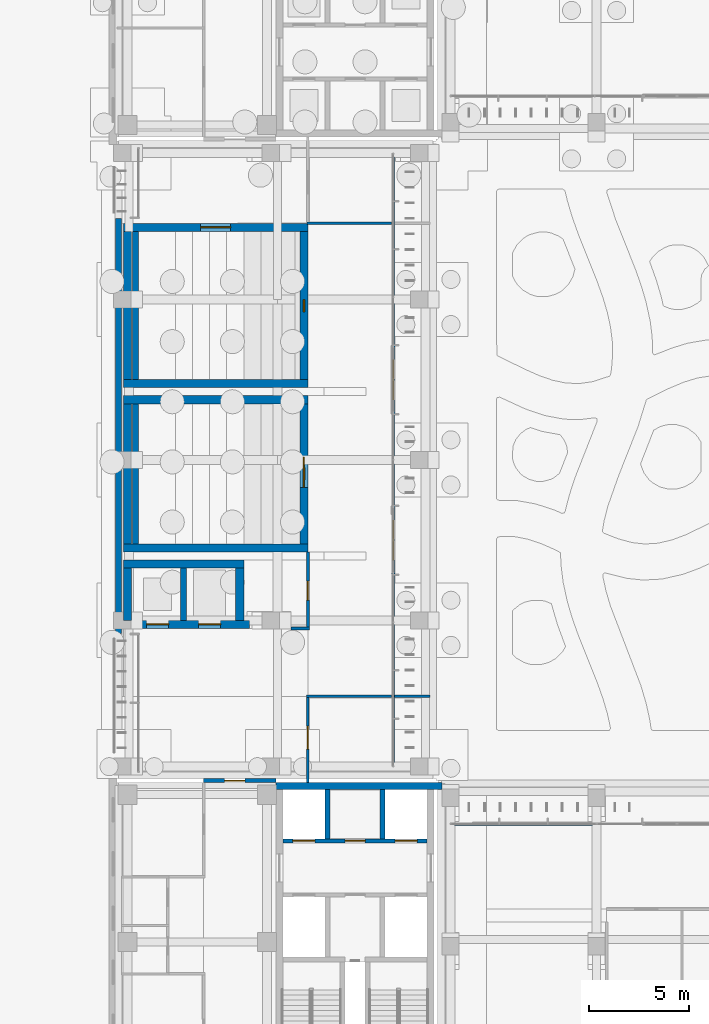
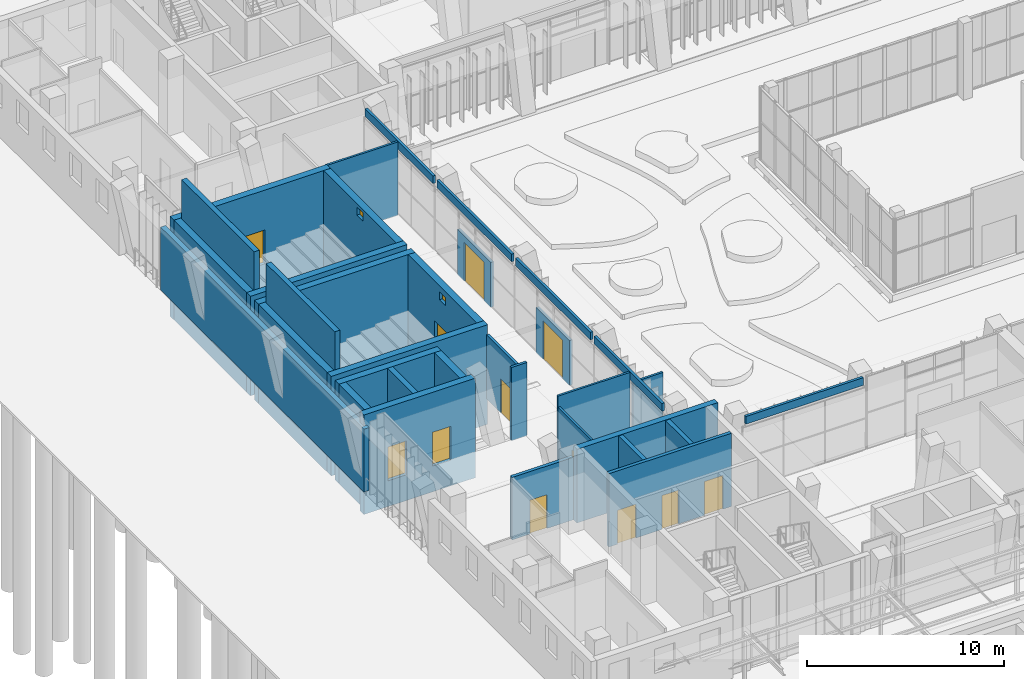
# One storey, part 108 of 144: 34 walls, 12 doors, 2 windows, 14 openings.
"""IFC4 building model written with IfcOpenShell, lengths in metres."""

from ifc_helpers import new_model, si_unit, direction, frame, frame_2d, origin, place, context, subcontext, project, spatial, rectangle, extrude, material, layer, layer_set, type_object, element, fill, save


model = new_model("IFC4")

# Units and contexts
model_context = context("Model", 3, precision=1e-05, world=origin(), true_north=direction((0.0, 1.0)))
body_context = subcontext(model_context, "Body", "Model", "MODEL_VIEW")
ifc_project = project(units=[si_unit("LENGTHUNIT", "METRE"), si_unit("AREAUNIT", "SQUARE_METRE"), si_unit("VOLUMEUNIT", "CUBIC_METRE"), si_unit("PLANEANGLEUNIT", "RADIAN"), si_unit("MASSUNIT", "GRAM", prefix="KILO")], contexts=[model_context])

# Site, building, storey
site_placement = place(None, origin())
site = spatial("IfcSite", under=ifc_project, at=site_placement, CompositionType="ELEMENT")
building_placement = place(site_placement, origin())
building = spatial("IfcBuilding", under=site, at=building_placement, Name="Lantern Court Media Centre", CompositionType="ELEMENT")
storey_placement = place(building_placement, origin())
storey = spatial("IfcBuildingStorey", under=building, at=storey_placement, Name="L00", CompositionType="ELEMENT", Elevation=0.0)

# Wall, opening, door
ifc_material_1 = material(Name="Gypsum board partition")
ifc_layer_1 = layer(ifc_material_1, 0.125)
ifc_layer_set_1 = layer_set([ifc_layer_1], Name="Gypsum board partition")
wall_type_1 = type_object("IfcWallType", Name="Corridor partition 125", PredefinedType="PARTITIONING", material=ifc_layer_set_1)
wall_1_placement = place(storey_placement, frame((17.60009765625, 63.89990234375, 0.0), z_axis=(0.0, 0.0, 1.0), x_axis=(0.0, 1.0, 0.0)))
wall_1 = element("IfcWall", 1, at=wall_1_placement, inside=storey, type_object=wall_type_1, Name="L00 partition 013", PredefinedType="PARTITIONING", context=body_context, shape_type="SweptSolid", body=[
    extrude(rectangle(XDim=4.237548828125, YDim=0.125, at=frame_2d((2.11865234375, 0.0))), origin(), (0.0, 0.0, 1.0), 3.8798828125),
])
opening_1_placement = place(wall_1_placement, frame((1.675048828125, 0.0, 0.0)))
opening_1 = element("IfcOpeningElement", 2, at=opening_1_placement, cuts=wall_1, Name="Opening L00-010", PredefinedType="OPENING", context=body_context, shape_type="SweptSolid", body=[
    extrude(rectangle(XDim=1.14990234375, YDim=2.10009765625, at=frame_2d((0.574951171875, 1.050048828125))), frame((0.0, 0.072509765625, 0.0), z_axis=(0.0, -1.0, 0.0), x_axis=(1.0, 0.0, 0.0)), (0.0, 0.0, 1.0), 0.14501953125),
])
ifc_material_2 = material(Name="Solid-core timber door leaf", Category="wood")
door_type_1 = type_object("IfcDoorType", Name="Single door 1150x2100", OperationType="NOTDEFINED", PredefinedType="DOOR", material=ifc_material_2)
door_1_placement = place(opening_1_placement, frame((1.14990234375, 0.0, 0.0), z_axis=(0.0, 0.0, 1.0), x_axis=(-1.0, 0.0, 0.0)))
door_1 = element("IfcDoor", 3, at=door_1_placement, inside=storey, type_object=door_type_1, Name="L00 Box Office door", OperationType="SINGLE_SWING_LEFT", OverallHeight=2.10009765625, OverallWidth=1.14990234375, PredefinedType="DOOR", context=body_context, shape_type="SweptSolid", body=[
    extrude(rectangle(XDim=1.14990234375, YDim=2.10009765625, at=frame_2d((0.574951171875, 1.050048828125))), frame((0.0, 0.02490234375, 0.0), z_axis=(0.0, -1.0, 0.0), x_axis=(1.0, 0.0, 0.0)), (0.0, 0.0, 1.0), 0.050048828125),
])
fill(opening_1, door_1)

# Walls
wall_2_placement = place(storey_placement, frame((17.53759765625, 68.199951171875, 0.0), z_axis=(0.0, 0.0, 1.0), x_axis=(1.0, 0.0, 0.0)))
element("IfcWall", 4, at=wall_2_placement, inside=storey, type_object=wall_type_1, Name="L00 partition 016", PredefinedType="PARTITIONING", context=body_context, shape_type="SweptSolid", body=[
    extrude(rectangle(XDim=4.232421875, YDim=0.125, at=frame_2d((2.1162109375, 0.0))), origin(), (0.0, 0.0, 1.0), 4.56005859375),
])
wall_3_placement = place(storey_placement, frame((21.929931640625, 68.199951171875, 0.0), z_axis=(0.0, 0.0, 1.0), x_axis=(1.0, 0.0, 0.0)))
element("IfcWall", 5, at=wall_3_placement, inside=storey, type_object=wall_type_1, Name="L00 partition 017", PredefinedType="PARTITIONING", context=body_context, shape_type="SweptSolid", body=[
    extrude(rectangle(XDim=1.77001953125, YDim=0.125, at=frame_2d((0.885009765625, 0.0))), origin(), (0.0, 0.0, 1.0), 3.8798828125),
])
wall_4_placement = place(storey_placement, frame((17.54248046875, 91.800048828125, 0.0), z_axis=(0.0, 0.0, 1.0), x_axis=(1.0, 0.0, 0.0)))
element("IfcWall", 6, at=wall_4_placement, inside=storey, type_object=wall_type_1, Name="L00 partition 020", PredefinedType="PARTITIONING", context=body_context, shape_type="SweptSolid", body=[
    extrude(rectangle(XDim=4.2275390625, YDim=0.125, at=frame_2d((2.11376953125, 0.0))), origin(), (0.0, 0.0, 1.0), 4.56005859375),
])

# Wall, opening, door
ifc_material_3 = material(Name="Insulated rendered blockwork", Category="masonry")
ifc_layer_2 = layer(ifc_material_3, 0.179931640625)
ifc_layer_set_2 = layer_set([ifc_layer_2], Name="Insulated rendered blockwork")
wall_type_2 = type_object("IfcWallType", Name="Entrance bay infill wall 180", PredefinedType="SOLIDWALL", material=ifc_layer_set_2)
wall_5_placement = place(storey_placement, frame((21.85009765625, 74.300048828125, 0.0), z_axis=(0.0, 0.0, 1.0), x_axis=(0.0, 1.0, 0.0)))
wall_5 = element("IfcWall", 7, at=wall_5_placement, inside=storey, type_object=wall_type_2, Name="Entrance bay wall W inner L00", PredefinedType="SOLIDWALL", context=body_context, shape_type="SweptSolid", body=[
    extrude(rectangle(XDim=3.39990234375, YDim=0.179931640625, at=frame_2d((1.699951171875, 0.0))), origin(), (0.0, 0.0, 1.0), 2.800048828125),
])
opening_2_placement = place(wall_5_placement, frame((0.699951171875, 0.0, 0.0)))
opening_2 = element("IfcOpeningElement", 8, at=opening_2_placement, cuts=wall_5, Name="Opening XD13", PredefinedType="OPENING", context=body_context, shape_type="SweptSolid", body=[
    extrude(rectangle(XDim=2.0, YDim=2.39990234375, at=frame_2d((1.0, 1.199951171875))), frame((0.0, 0.099853515625, 0.0), z_axis=(0.0, -1.0, 0.0), x_axis=(1.0, 0.0, 0.0)), (0.0, 0.0, 1.0), 0.199951171875),
])
ifc_material_4 = material(Name="Anodised aluminium and glass", Category="aluminium")
door_type_2 = type_object("IfcDoorType", Name="Entrance double door 2000x2400", OperationType="DOUBLE_DOOR_SINGLE_SWING", PredefinedType="DOOR", material=ifc_material_4)
door_2_placement = place(opening_2_placement, origin())
door_2 = element("IfcDoor", 9, at=door_2_placement, inside=storey, type_object=door_type_2, Name="Entrance door XD13", OperationType="SINGLE_SWING_LEFT", OverallHeight=2.39990234375, OverallWidth=2.0, PredefinedType="DOOR", context=body_context, shape_type="SweptSolid", body=[
    extrude(rectangle(XDim=2.0, YDim=2.39990234375, at=frame_2d((1.0, 1.199951171875))), frame((0.0, 0.02490234375, 0.0), z_axis=(0.0, -1.0, 0.0), x_axis=(1.0, 0.0, 0.0)), (0.0, 0.0, 1.0), 0.050048828125),
])
fill(opening_2, door_2)

wall_6_placement = place(storey_placement, frame((21.85009765625, 82.300048828125, 0.0), z_axis=(0.0, 0.0, 1.0), x_axis=(0.0, 1.0, 0.0)))
wall_6 = element("IfcWall", 10, at=wall_6_placement, inside=storey, type_object=wall_type_2, Name="Entrance bay wall W inner L00", PredefinedType="SOLIDWALL", context=body_context, shape_type="SweptSolid", body=[
    extrude(rectangle(XDim=3.39990234375, YDim=0.179931640625, at=frame_2d((1.699951171875, 0.0))), origin(), (0.0, 0.0, 1.0), 2.800048828125),
])
opening_3_placement = place(wall_6_placement, frame((0.699951171875, 0.0, 0.0)))
opening_3 = element("IfcOpeningElement", 11, at=opening_3_placement, cuts=wall_6, Name="Opening XD14", PredefinedType="OPENING", context=body_context, shape_type="SweptSolid", body=[
    extrude(rectangle(XDim=2.0, YDim=2.39990234375, at=frame_2d((1.0, 1.199951171875))), frame((0.0, 0.099853515625, 0.0), z_axis=(0.0, -1.0, 0.0), x_axis=(1.0, 0.0, 0.0)), (0.0, 0.0, 1.0), 0.199951171875),
])
door_3_placement = place(opening_3_placement, origin())
door_3 = element("IfcDoor", 12, at=door_3_placement, inside=storey, type_object=door_type_2, Name="Entrance door XD14", OperationType="SINGLE_SWING_LEFT", OverallHeight=2.39990234375, OverallWidth=2.0, PredefinedType="DOOR", context=body_context, shape_type="SweptSolid", body=[
    extrude(rectangle(XDim=2.0, YDim=2.39990234375, at=frame_2d((1.0, 1.199951171875))), frame((0.0, 0.02490234375, 0.0), z_axis=(0.0, -1.0, 0.0), x_axis=(1.0, 0.0, 0.0)), (0.0, 0.0, 1.0), 0.050048828125),
])
fill(opening_3, door_3)

# Wall, openings, doors
ifc_material_5 = material(Name="Concrete C40", Category="concrete")
ifc_layer_3 = layer(ifc_material_5, 0.199951171875)
ifc_layer_set_3 = layer_set([ifc_layer_3], Name="Concrete C40")
wall_type_3 = type_object("IfcWallType", Name="Fire lobby wall 200", PredefinedType="SOLIDWALL", material=ifc_layer_set_3)
wall_7_placement = place(storey_placement, frame((16.35009765625, 61.0, 0.0), z_axis=(0.0, 0.0, 1.0), x_axis=(1.0, 0.0, 0.0)))
wall_7 = element("IfcWall", 13, at=wall_7_placement, inside=storey, type_object=wall_type_3, Name="L00 SW FW2", PredefinedType="SOLIDWALL", context=body_context, shape_type="SweptSolid", body=[
    extrude(rectangle(XDim=7.199951171875, YDim=0.199951171875, at=frame_2d((3.60009765625, 0.0))), origin(), (0.0, 0.0, 1.0), 4.550048828125),
])
opening_4_placement = place(wall_7_placement, frame((0.5, 0.0, 0.0)))
opening_4 = element("IfcOpeningElement", 14, at=opening_4_placement, cuts=wall_7, Name="Opening LD-SWP2-L00", PredefinedType="OPENING", context=body_context, shape_type="SweptSolid", body=[
    extrude(rectangle(XDim=1.10009765625, YDim=2.10009765625, at=frame_2d((0.550048828125, 1.050048828125))), frame((0.0, 0.10986328125, 0.0), z_axis=(0.0, -1.0, 0.0), x_axis=(1.0, 0.0, 0.0)), (0.0, 0.0, 1.0), 0.219970703125),
])
opening_5_placement = place(wall_7_placement, frame((5.60009765625, 0.0, 0.0)))
opening_5 = element("IfcOpeningElement", 15, at=opening_5_placement, cuts=wall_7, Name="Opening LD-SWP3-L00", PredefinedType="OPENING", context=body_context, shape_type="SweptSolid", body=[
    extrude(rectangle(XDim=1.10009765625, YDim=2.10009765625, at=frame_2d((0.550048828125, 1.050048828125))), frame((0.0, 0.10986328125, 0.0), z_axis=(0.0, -1.0, 0.0), x_axis=(1.0, 0.0, 0.0)), (0.0, 0.0, 1.0), 0.219970703125),
])
opening_6_placement = place(wall_7_placement, frame((3.10009765625, 0.0, 0.0)))
opening_6 = element("IfcOpeningElement", 16, at=opening_6_placement, cuts=wall_7, Name="Opening SW-L00-06", PredefinedType="OPENING", context=body_context, shape_type="SweptSolid", body=[
    extrude(rectangle(XDim=1.0, YDim=2.10009765625, at=frame_2d((0.5, 1.050048828125))), frame((0.0, 0.10986328125, 0.0), z_axis=(0.0, -1.0, 0.0), x_axis=(1.0, 0.0, 0.0)), (0.0, 0.0, 1.0), 0.219970703125),
])
ifc_material_6 = material(Name="Steel door leaf", Category="steel")
door_type_3 = type_object("IfcDoorType", Name="Lift landing door 1100x2100", OperationType="DOUBLE_DOOR_SLIDING", PredefinedType="DOOR", material=ifc_material_6)
door_4_placement = place(opening_4_placement, frame((1.10009765625, 0.0, 0.0), z_axis=(0.0, 0.0, 1.0), x_axis=(-1.0, 0.0, 0.0)))
door_4 = element("IfcDoor", 17, at=door_4_placement, inside=storey, type_object=door_type_3, Name="L00 SW lift P2 landing door", OperationType="DOUBLE_DOOR_SLIDING", OverallHeight=2.10009765625, OverallWidth=1.10009765625, PredefinedType="DOOR", context=body_context, shape_type="SweptSolid", body=[
    extrude(rectangle(XDim=1.10009765625, YDim=2.10009765625, at=frame_2d((0.550048828125, 1.050048828125))), frame((0.0, 0.02490234375, 0.0), z_axis=(0.0, -1.0, 0.0), x_axis=(1.0, 0.0, 0.0)), (0.0, 0.0, 1.0), 0.050048828125),
])
fill(opening_4, door_4)
door_5_placement = place(opening_5_placement, frame((1.10009765625, 0.0, 0.0), z_axis=(0.0, 0.0, 1.0), x_axis=(-1.0, 0.0, 0.0)))
door_5 = element("IfcDoor", 18, at=door_5_placement, inside=storey, type_object=door_type_3, Name="L00 SW lift P3 landing door", OperationType="DOUBLE_DOOR_SLIDING", OverallHeight=2.10009765625, OverallWidth=1.10009765625, PredefinedType="DOOR", context=body_context, shape_type="SweptSolid", body=[
    extrude(rectangle(XDim=1.10009765625, YDim=2.10009765625, at=frame_2d((0.550048828125, 1.050048828125))), frame((0.0, 0.02490234375, 0.0), z_axis=(0.0, -1.0, 0.0), x_axis=(1.0, 0.0, 0.0)), (0.0, 0.0, 1.0), 0.050048828125),
])
fill(opening_5, door_5)
door_type_4 = type_object("IfcDoorType", Name="Service door 1000x2100", OperationType="NOTDEFINED", PredefinedType="DOOR", material=ifc_material_6)
door_6_placement = place(opening_6_placement, frame((1.0, 0.0, 0.0), z_axis=(0.0, 0.0, 1.0), x_axis=(-1.0, 0.0, 0.0)))
door_6 = element("IfcDoor", 19, at=door_6_placement, inside=storey, type_object=door_type_4, Name="L00 SW accessible WC door", OperationType="SINGLE_SWING_RIGHT", OverallHeight=2.10009765625, OverallWidth=1.0, PredefinedType="DOOR", context=body_context, shape_type="SweptSolid", body=[
    extrude(rectangle(XDim=1.0, YDim=2.10009765625, at=frame_2d((0.5, 1.050048828125))), frame((0.0, 0.02490234375, 0.0), z_axis=(0.0, -1.0, 0.0), x_axis=(1.0, 0.0, 0.0)), (0.0, 0.0, 1.0), 0.050048828125),
])
fill(opening_6, door_6)

# Walls
ifc_layer_4 = layer(ifc_material_3, 0.14990234375)
ifc_layer_set_4 = layer_set([ifc_layer_4], Name="Insulated rendered blockwork")
wall_type_4 = type_object("IfcWallType", Name="Head infill wall 150", PredefinedType="SOLIDWALL", material=ifc_layer_set_4)
for number, where, z_axis, x_axis, name in (
    (20, (24.89990234375, 61.85009765625, 4.10009765625), (0.0, 0.0, 1.0), (1.0, 0.0, 0.0), "Head infill wall S inner L00"),
    (21, (21.85009765625, 64.89990234375, 4.10009765625), (0.0, 0.0, 1.0), (0.0, 1.0, 0.0), "Head infill wall W inner L00"),
):
    element("IfcWall", number, at=place(storey_placement, frame(where, z_axis=z_axis, x_axis=x_axis)), inside=storey, type_object=wall_type_4, Name=name, PredefinedType="SOLIDWALL", context=body_context, shape_type="SweptSolid", body=[
        extrude(rectangle(XDim=6.900146484375, YDim=0.14990234375, at=frame_2d((3.4501953125, 0.0))), origin(), (0.0, 0.0, 1.0), 0.47998046875),
    ])
for number, where, z_axis, x_axis, name in (
    (22, (21.85009765625, 72.199951171875, 4.10009765625), (0.0, 0.0, 1.0), (0.0, 1.0, 0.0), "Head infill wall W inner L00"),
    (23, (21.85009765625, 80.199951171875, 4.10009765625), (0.0, 0.0, 1.0), (0.0, 1.0, 0.0), "Head infill wall W inner L00"),
):
    element("IfcWall", number, at=place(storey_placement, frame(where, z_axis=z_axis, x_axis=x_axis)), inside=storey, type_object=wall_type_4, Name=name, PredefinedType="SOLIDWALL", context=body_context, shape_type="SweptSolid", body=[
        extrude(rectangle(XDim=7.60009765625, YDim=0.14990234375, at=frame_2d((3.800048828125, 0.0))), origin(), (0.0, 0.0, 1.0), 0.47998046875),
    ])
wall_8_placement = place(storey_placement, frame((21.85009765625, 88.199951171875, 4.10009765625), z_axis=(0.0, 0.0, 1.0), x_axis=(0.0, 1.0, 0.0)))
element("IfcWall", 24, at=wall_8_placement, inside=storey, type_object=wall_type_4, Name="Head infill wall W inner L00", PredefinedType="SOLIDWALL", context=body_context, shape_type="SweptSolid", body=[
    extrude(rectangle(XDim=6.900146484375, YDim=0.14990234375, at=frame_2d((3.4501953125, 0.0))), origin(), (0.0, 0.0, 1.0), 0.47998046875),
])
ifc_material_7 = material(Name="Honed limestone cladding on blockwork", Category="masonry")
ifc_layer_5 = layer(ifc_material_7, 0.300048828125)
ifc_layer_set_5 = layer_set([ifc_layer_5], Name="Honed limestone cladding on blockwork")
wall_type_5 = type_object("IfcWallType", Name="Limestone flank wall 300", PredefinedType="SOLIDWALL", material=ifc_layer_set_5)
wall_9_placement = place(storey_placement, frame((8.14990234375, 71.35009765625, 0.0), z_axis=(0.0, 0.0, 1.0), x_axis=(0.0, 1.0, 0.0)))
element("IfcWall", 25, at=wall_9_placement, inside=storey, type_object=wall_type_5, Name="Limestone flank wall W outer L00", PredefinedType="SOLIDWALL", context=body_context, shape_type="SweptSolid", body=[
    extrude(rectangle(XDim=20.699951171875, YDim=0.300048828125, at=frame_2d((10.35009765625, 0.0))), origin(), (0.0, 0.0, 1.0), 3.89990234375),
])

# Wall, opening, door
ifc_material_8 = material(Name="Fire-rated gypsum board")
ifc_layer_6 = layer(ifc_material_8, 0.199951171875)
ifc_layer_set_6 = layer_set([ifc_layer_6], Name="Fire-rated gypsum board")
wall_type_6 = type_object("IfcWallType", Name="Movement-joint compartment wall 200", PredefinedType="PARTITIONING", material=ifc_layer_set_6)
wall_10_placement = place(storey_placement, frame((12.39990234375, 64.0, 0.0), z_axis=(0.0, 0.0, 1.0), x_axis=(1.0, 0.0, 0.0)))
wall_10 = element("IfcWall", 26, at=wall_10_placement, inside=storey, type_object=wall_type_6, Name="L00 movement-joint wall 01", PredefinedType="PARTITIONING", context=body_context, shape_type="SweptSolid", body=[
    extrude(rectangle(XDim=3.60009765625, YDim=0.199951171875, at=frame_2d((1.800048828125, 0.0))), origin(), (0.0, 0.0, 1.0), 3.8798828125),
])
opening_7_placement = place(wall_10_placement, frame((1.050048828125, 0.0, 0.0)))
opening_7 = element("IfcOpeningElement", 27, at=opening_7_placement, cuts=wall_10, Name="Opening L00-J01", PredefinedType="OPENING", context=body_context, shape_type="SweptSolid", body=[
    extrude(rectangle(XDim=1.0, YDim=2.10009765625, at=frame_2d((0.5, 1.050048828125))), frame((0.0, 0.10986328125, 0.0), z_axis=(0.0, -1.0, 0.0), x_axis=(1.0, 0.0, 0.0)), (0.0, 0.0, 1.0), 0.219970703125),
])
door_type_5 = type_object("IfcDoorType", Name="Movement-joint fire door 1000x2100", OperationType="NOTDEFINED", PredefinedType="DOOR", material=ifc_material_6)
door_7_placement = place(opening_7_placement, frame((1.0, 0.0, 0.0), z_axis=(0.0, 0.0, 1.0), x_axis=(-1.0, 0.0, 0.0)))
door_7 = element("IfcDoor", 28, at=door_7_placement, inside=storey, type_object=door_type_5, Name="L00 bar end lobby door 01", OperationType="SINGLE_SWING_LEFT", OverallHeight=2.10009765625, OverallWidth=1.0, PredefinedType="DOOR", context=body_context, shape_type="SweptSolid", body=[
    extrude(rectangle(XDim=1.0, YDim=2.10009765625, at=frame_2d((0.5, 1.050048828125))), frame((0.0, 0.02490234375, 0.0), z_axis=(0.0, -1.0, 0.0), x_axis=(1.0, 0.0, 0.0)), (0.0, 0.0, 1.0), 0.050048828125),
])
fill(opening_7, door_7)

ifc_material_9 = material(Name="Concrete blockwork C20", Category="masonry")
ifc_layer_7 = layer(ifc_material_9, 0.14990234375)
ifc_layer_set_7 = layer_set([ifc_layer_7], Name="Concrete blockwork C20")
wall_type_7 = type_object("IfcWallType", Name="Partition 150 masonry", PredefinedType="PARTITIONING", material=ifc_layer_set_7)
wall_11_placement = place(storey_placement, frame((17.60009765625, 71.675048828125, 0.0), z_axis=(0.0, 0.0, 1.0), x_axis=(0.0, 1.0, 0.0)))
wall_11 = element("IfcWall", 29, at=wall_11_placement, inside=storey, type_object=wall_type_7, Name="L00 partition 014", PredefinedType="PARTITIONING", context=body_context, shape_type="SweptSolid", body=[
    extrude(rectangle(XDim=3.724853515625, YDim=0.14990234375, at=frame_2d((1.8623046875, 0.0))), origin(), (0.0, 0.0, 1.0), 3.97998046875),
])
opening_8_placement = place(wall_11_placement, frame((1.3349609375, 0.0, 0.0)))
opening_8 = element("IfcOpeningElement", 30, at=opening_8_placement, cuts=wall_11, Name="Opening L00-014", PredefinedType="OPENING", context=body_context, shape_type="SweptSolid", body=[
    extrude(rectangle(XDim=0.949951171875, YDim=2.10009765625, at=frame_2d((0.47509765625, 1.050048828125))), frame((0.0, 0.0849609375, 0.0), z_axis=(0.0, -1.0, 0.0), x_axis=(1.0, 0.0, 0.0)), (0.0, 0.0, 1.0), 0.169921875),
])
door_type_6 = type_object("IfcDoorType", Name="Accessible WC door 950x2100", OperationType="NOTDEFINED", PredefinedType="DOOR", material=ifc_material_2)
door_8_placement = place(opening_8_placement, origin())
door_8 = element("IfcDoor", 31, at=door_8_placement, inside=storey, type_object=door_type_6, Name="L00 Accessible WC door", OperationType="SINGLE_SWING_LEFT", OverallHeight=2.10009765625, OverallWidth=0.949951171875, PredefinedType="DOOR", context=body_context, shape_type="SweptSolid", body=[
    extrude(rectangle(XDim=0.949951171875, YDim=2.10009765625, at=frame_2d((0.47509765625, 1.050048828125))), frame((0.0, 0.02490234375, 0.0), z_axis=(0.0, -1.0, 0.0), x_axis=(1.0, 0.0, 0.0)), (0.0, 0.0, 1.0), 0.050048828125),
])
fill(opening_8, door_8)

# Walls
wall_12_placement = place(storey_placement, frame((16.76318359375, 71.60009765625, 0.0), z_axis=(0.0, 0.0, 1.0), x_axis=(1.0, 0.0, 0.0)))
element("IfcWall", 32, at=wall_12_placement, inside=storey, type_object=wall_type_7, Name="L00 partition 023", PredefinedType="PARTITIONING", context=body_context, shape_type="SweptSolid", body=[
    extrude(rectangle(XDim=0.911865234375, YDim=0.14990234375, at=frame_2d((0.4560546875, 0.0))), origin(), (0.0, 0.0, 1.0), 4.56005859375),
])
ifc_layer_8 = layer(ifc_material_5, 0.35009765625)
ifc_layer_set_8 = layer_set([ifc_layer_8], Name="Concrete C40")
wall_type_8 = type_object("IfcWallType", Name="RC CORE WALL 350", PredefinedType="SHEAR", material=ifc_layer_set_8)
wall_13_placement = place(storey_placement, frame((16.0, 63.72509765625, 0.0), z_axis=(0.0, 0.0, 1.0), x_axis=(1.0, 0.0, 0.0)))
element("IfcWall", 33, at=wall_13_placement, inside=storey, type_object=wall_type_8, Name="WC-SW-L00-N", PredefinedType="SHEAR", context=body_context, shape_type="SweptSolid", body=[
    extrude(rectangle(XDim=8.27490234375, YDim=0.35009765625, at=frame_2d((4.137451171875, 0.0))), origin(), (0.0, 0.0, 1.0), 4.580078125),
])
ifc_layer_9 = layer(ifc_material_5, 0.300048828125)
ifc_layer_set_9 = layer_set([ifc_layer_9], Name="Concrete C40")
wall_type_9 = type_object("IfcWallType", Name="RC SHEAR WALL 300", PredefinedType="SHEAR", material=ifc_layer_set_9)
wall_14_placement = place(storey_placement, frame((11.39990234375, 72.0, -1.60009765625), z_axis=(0.0, 0.0, 1.0), x_axis=(0.0, 1.0, 0.0)))
element("IfcWall", 34, at=wall_14_placement, inside=storey, type_object=wall_type_9, Name="WB-W-LC-L00-D", PredefinedType="SHEAR", context=body_context, shape_type="SweptSolid", body=[
    extrude(rectangle(XDim=2.60009765625, YDim=0.300048828125, at=frame_2d((1.300048828125, 0.0))), origin(), (0.0, 0.0, 1.0), 6.18017578125),
])
ifc_layer_10 = layer(ifc_material_5, 0.39990234375)
ifc_layer_set_10 = layer_set([ifc_layer_10], Name="Concrete C40")
wall_type_10 = type_object("IfcWallType", Name="RC SHEAR WALL 400", PredefinedType="SHEAR", material=ifc_layer_set_10)
for number, where, z_axis, x_axis, name in (
    (35, (8.39990234375, 75.60009765625, -1.60009765625), (0.0, 0.0, 1.0), (1.0, 0.0, 0.0), "WB-A3-L00-S"),
    (36, (8.39990234375, 83.0, -1.60009765625), (0.0, 0.0, 1.0), (1.0, 0.0, 0.0), "WB-A3-L00-N"),
):
    element("IfcWall", number, at=place(storey_placement, frame(where, z_axis=z_axis, x_axis=x_axis)), inside=storey, type_object=wall_type_10, Name=name, PredefinedType="SHEAR", context=body_context, shape_type="SweptSolid", body=[
        extrude(rectangle(XDim=9.2001953125, YDim=0.39990234375, at=frame_2d((4.60009765625, 0.0))), origin(), (0.0, 0.0, 1.0), 6.18017578125),
    ])
wall_15_placement = place(storey_placement, frame((8.60009765625, 75.800048828125, -1.60009765625), z_axis=(0.0, 0.0, 1.0), x_axis=(0.0, 1.0, 0.0)))
element("IfcWall", 37, at=wall_15_placement, inside=storey, type_object=wall_type_10, Name="WB-A3-L00-W", PredefinedType="SHEAR", context=body_context, shape_type="SweptSolid", body=[
    extrude(rectangle(XDim=7.0, YDim=0.39990234375, at=frame_2d((3.5, 0.0))), origin(), (0.0, 0.0, 1.0), 6.18017578125),
])

# Wall, openings, window, door
wall_16_placement = place(storey_placement, frame((17.39990234375, 75.800048828125, -1.60009765625), z_axis=(0.0, 0.0, 1.0), x_axis=(0.0, 1.0, 0.0)))
wall_16 = element("IfcWall", 38, at=wall_16_placement, inside=storey, type_object=wall_type_10, Name="WB-A3-L00-E", PredefinedType="SHEAR", context=body_context, shape_type="SweptSolid", body=[
    extrude(rectangle(XDim=7.0, YDim=0.39990234375, at=frame_2d((3.5, 0.0))), origin(), (0.0, 0.0, 1.0), 6.18017578125),
])
opening_9_placement = place(wall_16_placement, frame((2.824951171875, 0.0, 1.60009765625)))
opening_9 = element("IfcOpeningElement", 39, at=opening_9_placement, cuts=wall_16, Name="Opening L00-012", PredefinedType="OPENING", context=body_context, shape_type="SweptSolid", body=[
    extrude(rectangle(XDim=1.5, YDim=2.10009765625, at=frame_2d((0.75, 1.050048828125))), frame((0.0, 0.2099609375, 0.0), z_axis=(0.0, -1.0, 0.0), x_axis=(1.0, 0.0, 0.0)), (0.0, 0.0, 1.0), 0.419921875),
])
opening_10_placement = place(wall_16_placement, frame((3.199951171875, 0.0, 5.320068359375)))
opening_10 = element("IfcOpeningElement", 40, at=opening_10_placement, cuts=wall_16, Name="Opening WN-P", PredefinedType="OPENING", context=body_context, shape_type="SweptSolid", body=[
    extrude(rectangle(XDim=0.60009765625, YDim=0.5, at=frame_2d((0.300048828125, 0.25))), frame((0.0, 0.2099609375, 0.0), z_axis=(0.0, -1.0, 0.0), x_axis=(1.0, 0.0, 0.0)), (0.0, 0.0, 1.0), 0.419921875),
])
ifc_material_10 = material(Name="Laminated glass", Category="glass")
window_type = type_object("IfcWindowType", Name="Projection port glazing", PartitioningType="SINGLE_PANEL", PredefinedType="WINDOW", material=ifc_material_10)
window_1_placement = place(opening_10_placement, origin())
window_1 = element("IfcWindow", 41, at=window_1_placement, inside=storey, type_object=window_type, Name="Screen 3 projection port", OverallHeight=0.5, OverallWidth=0.60009765625, PartitioningType="SINGLE_PANEL", PredefinedType="WINDOW", context=body_context, shape_type="SweptSolid", body=[
    extrude(rectangle(XDim=0.60009765625, YDim=0.5, at=frame_2d((0.300048828125, 0.25))), frame((0.0, 0.030029296875, 0.0), z_axis=(0.0, -1.0, 0.0), x_axis=(1.0, 0.0, 0.0)), (0.0, 0.0, 1.0), 0.06005859375),
])
fill(opening_10, window_1)
door_type_7 = type_object("IfcDoorType", Name="Small screen double door 1500x2100", OperationType="NOTDEFINED", PredefinedType="DOOR", material=ifc_material_2)
door_9_placement = place(opening_9_placement, frame((1.5, 0.0, 0.0), z_axis=(0.0, 0.0, 1.0), x_axis=(-1.0, 0.0, 0.0)))
door_9 = element("IfcDoor", 42, at=door_9_placement, inside=storey, type_object=door_type_7, Name="L00 Screen 3 door", OperationType="SINGLE_SWING_LEFT", OverallHeight=2.10009765625, OverallWidth=1.5, PredefinedType="DOOR", context=body_context, shape_type="SweptSolid", body=[
    extrude(rectangle(XDim=1.5, YDim=2.10009765625, at=frame_2d((0.75, 1.050048828125))), frame((0.0, 0.02490234375, 0.0), z_axis=(0.0, -1.0, 0.0), x_axis=(1.0, 0.0, 0.0)), (0.0, 0.0, 1.0), 0.050048828125),
])
fill(opening_9, door_9)

# Wall
wall_17_placement = place(storey_placement, frame((8.39990234375, 83.800048828125, -1.60009765625), z_axis=(0.0, 0.0, 1.0), x_axis=(1.0, 0.0, 0.0)))
element("IfcWall", 43, at=wall_17_placement, inside=storey, type_object=wall_type_10, Name="WB-A4-L00-S", PredefinedType="SHEAR", context=body_context, shape_type="SweptSolid", body=[
    extrude(rectangle(XDim=9.2001953125, YDim=0.39990234375, at=frame_2d((4.60009765625, 0.0))), origin(), (0.0, 0.0, 1.0), 6.18017578125),
])

# Wall, opening, door
wall_18_placement = place(storey_placement, frame((8.39990234375, 91.60009765625, -1.60009765625), z_axis=(0.0, 0.0, 1.0), x_axis=(1.0, 0.0, 0.0)))
wall_18 = element("IfcWall", 44, at=wall_18_placement, inside=storey, type_object=wall_type_10, Name="WB-A4-L00-N", PredefinedType="SHEAR", context=body_context, shape_type="SweptSolid", body=[
    extrude(rectangle(XDim=9.2001953125, YDim=0.39990234375, at=frame_2d((4.60009765625, 0.0))), origin(), (0.0, 0.0, 1.0), 6.18017578125),
])
opening_11_placement = place(wall_18_placement, frame((3.85009765625, 0.0, 1.60009765625)))
opening_11 = element("IfcOpeningElement", 45, at=opening_11_placement, cuts=wall_18, Name="Opening L00-013", PredefinedType="OPENING", context=body_context, shape_type="SweptSolid", body=[
    extrude(rectangle(XDim=1.5, YDim=2.10009765625, at=frame_2d((0.75, 1.050048828125))), frame((0.0, 0.2099609375, 0.0), z_axis=(0.0, -1.0, 0.0), x_axis=(1.0, 0.0, 0.0)), (0.0, 0.0, 1.0), 0.419921875),
])
door_10_placement = place(opening_11_placement, origin())
door_10 = element("IfcDoor", 46, at=door_10_placement, inside=storey, type_object=door_type_7, Name="L00 Screen 4 door", OperationType="SINGLE_SWING_RIGHT", OverallHeight=2.10009765625, OverallWidth=1.5, PredefinedType="DOOR", context=body_context, shape_type="SweptSolid", body=[
    extrude(rectangle(XDim=1.5, YDim=2.10009765625, at=frame_2d((0.75, 1.050048828125))), frame((0.0, 0.02490234375, 0.0), z_axis=(0.0, -1.0, 0.0), x_axis=(1.0, 0.0, 0.0)), (0.0, 0.0, 1.0), 0.050048828125),
])
fill(opening_11, door_10)

# Wall
wall_19_placement = place(storey_placement, frame((8.60009765625, 84.0, -1.60009765625), z_axis=(0.0, 0.0, 1.0), x_axis=(0.0, 1.0, 0.0)))
element("IfcWall", 47, at=wall_19_placement, inside=storey, type_object=wall_type_10, Name="WB-A4-L00-W", PredefinedType="SHEAR", context=body_context, shape_type="SweptSolid", body=[
    extrude(rectangle(XDim=7.39990234375, YDim=0.39990234375, at=frame_2d((3.699951171875, 0.0))), origin(), (0.0, 0.0, 1.0), 6.18017578125),
])

# Wall, opening, window
wall_20_placement = place(storey_placement, frame((17.39990234375, 84.0, -1.60009765625), z_axis=(0.0, 0.0, 1.0), x_axis=(0.0, 1.0, 0.0)))
wall_20 = element("IfcWall", 48, at=wall_20_placement, inside=storey, type_object=wall_type_10, Name="WB-A4-L00-E", PredefinedType="SHEAR", context=body_context, shape_type="SweptSolid", body=[
    extrude(rectangle(XDim=7.39990234375, YDim=0.39990234375, at=frame_2d((3.699951171875, 0.0))), origin(), (0.0, 0.0, 1.0), 6.18017578125),
])
opening_12_placement = place(wall_20_placement, frame((3.39990234375, 0.0, 5.47998046875)))
opening_12 = element("IfcOpeningElement", 49, at=opening_12_placement, cuts=wall_20, Name="Opening WN-P", PredefinedType="OPENING", context=body_context, shape_type="SweptSolid", body=[
    extrude(rectangle(XDim=0.60009765625, YDim=0.5, at=frame_2d((0.300048828125, 0.25))), frame((0.0, 0.2099609375, 0.0), z_axis=(0.0, -1.0, 0.0), x_axis=(1.0, 0.0, 0.0)), (0.0, 0.0, 1.0), 0.419921875),
])
window_2_placement = place(opening_12_placement, origin())
window_2 = element("IfcWindow", 50, at=window_2_placement, inside=storey, type_object=window_type, Name="Screen 4 projection port", OverallHeight=0.5, OverallWidth=0.60009765625, PartitioningType="SINGLE_PANEL", PredefinedType="WINDOW", context=body_context, shape_type="SweptSolid", body=[
    extrude(rectangle(XDim=0.60009765625, YDim=0.5, at=frame_2d((0.300048828125, 0.25))), frame((0.0, 0.030029296875, 0.0), z_axis=(0.0, -1.0, 0.0), x_axis=(1.0, 0.0, 0.0)), (0.0, 0.0, 1.0), 0.06005859375),
])
fill(opening_12, window_2)

# Wall, openings, doors
wall_21_placement = place(storey_placement, frame((8.13330078125, 71.800048828125, -1.60009765625), z_axis=(0.0, 0.0, 1.0), x_axis=(1.0, 0.0, 0.0)))
wall_21 = element("IfcWall", 51, at=wall_21_placement, inside=storey, type_object=wall_type_10, Name="WB-W-LC-L00-S", PredefinedType="SHEAR", context=body_context, shape_type="SweptSolid", body=[
    extrude(rectangle(XDim=6.550048828125, YDim=0.39990234375, at=frame_2d((3.27490234375, 0.0))), origin(), (0.0, 0.0, 1.0), 6.18017578125),
])
opening_13_placement = place(wall_21_placement, frame((1.416748046875, 0.0, 1.60009765625)))
opening_13 = element("IfcOpeningElement", 52, at=opening_13_placement, cuts=wall_21, Name="Opening LD-W-LCP-L00", PredefinedType="OPENING", context=body_context, shape_type="SweptSolid", body=[
    extrude(rectangle(XDim=1.10009765625, YDim=2.10009765625, at=frame_2d((0.550048828125, 1.050048828125))), frame((0.0, 0.2099609375, 0.0), z_axis=(0.0, -1.0, 0.0), x_axis=(1.0, 0.0, 0.0)), (0.0, 0.0, 1.0), 0.419921875),
])
opening_14_placement = place(wall_21_placement, frame((4.0166015625, 0.0, 1.60009765625)))
opening_14 = element("IfcOpeningElement", 53, at=opening_14_placement, cuts=wall_21, Name="Opening LD-W-LCS-L00", PredefinedType="OPENING", context=body_context, shape_type="SweptSolid", body=[
    extrude(rectangle(XDim=1.10009765625, YDim=2.10009765625, at=frame_2d((0.550048828125, 1.050048828125))), frame((0.0, 0.2099609375, 0.0), z_axis=(0.0, -1.0, 0.0), x_axis=(1.0, 0.0, 0.0)), (0.0, 0.0, 1.0), 0.419921875),
])
door_11_placement = place(opening_13_placement, frame((1.10009765625, 0.0, 0.0), z_axis=(0.0, 0.0, 1.0), x_axis=(-1.0, 0.0, 0.0)))
door_11 = element("IfcDoor", 54, at=door_11_placement, inside=storey, type_object=door_type_3, Name="L00 W-LC passenger lift landing door", OperationType="DOUBLE_DOOR_SLIDING", OverallHeight=2.10009765625, OverallWidth=1.10009765625, PredefinedType="DOOR", context=body_context, shape_type="SweptSolid", body=[
    extrude(rectangle(XDim=1.10009765625, YDim=2.10009765625, at=frame_2d((0.550048828125, 1.050048828125))), frame((0.0, 0.02490234375, 0.0), z_axis=(0.0, -1.0, 0.0), x_axis=(1.0, 0.0, 0.0)), (0.0, 0.0, 1.0), 0.050048828125),
])
fill(opening_13, door_11)
door_12_placement = place(opening_14_placement, frame((1.10009765625, 0.0, 0.0), z_axis=(0.0, 0.0, 1.0), x_axis=(-1.0, 0.0, 0.0)))
door_12 = element("IfcDoor", 55, at=door_12_placement, inside=storey, type_object=door_type_3, Name="L00 W-LC service lift landing door", OperationType="DOUBLE_DOOR_SLIDING", OverallHeight=2.10009765625, OverallWidth=1.10009765625, PredefinedType="DOOR", context=body_context, shape_type="SweptSolid", body=[
    extrude(rectangle(XDim=1.10009765625, YDim=2.10009765625, at=frame_2d((0.550048828125, 1.050048828125))), frame((0.0, 0.02490234375, 0.0), z_axis=(0.0, -1.0, 0.0), x_axis=(1.0, 0.0, 0.0)), (0.0, 0.0, 1.0), 0.050048828125),
])
fill(opening_14, door_12)

# Walls
wall_22_placement = place(storey_placement, frame((8.39990234375, 74.800048828125, -1.60009765625), z_axis=(0.0, 0.0, 1.0), x_axis=(1.0, 0.0, 0.0)))
element("IfcWall", 56, at=wall_22_placement, inside=storey, type_object=wall_type_10, Name="WB-W-LC-L00-N", PredefinedType="SHEAR", context=body_context, shape_type="SweptSolid", body=[
    extrude(rectangle(XDim=6.0, YDim=0.39990234375, at=frame_2d((3.0, 0.0))), origin(), (0.0, 0.0, 1.0), 6.18017578125),
])
for number, where, z_axis, x_axis, name in (
    (57, (8.60009765625, 72.0, -1.60009765625), (0.0, 0.0, 1.0), (0.0, 1.0, 0.0), "WB-W-LC-L00-W"),
    (58, (14.199951171875, 72.0, -1.60009765625), (0.0, 0.0, 1.0), (0.0, 1.0, 0.0), "WB-W-LC-L00-E"),
):
    element("IfcWall", number, at=place(storey_placement, frame(where, z_axis=z_axis, x_axis=x_axis)), inside=storey, type_object=wall_type_10, Name=name, PredefinedType="SHEAR", context=body_context, shape_type="SweptSolid", body=[
        extrude(rectangle(XDim=2.60009765625, YDim=0.39990234375, at=frame_2d((1.300048828125, 0.0))), origin(), (0.0, 0.0, 1.0), 6.18017578125),
    ])
ifc_layer_11 = layer(ifc_material_5, 0.25)
ifc_layer_set_11 = layer_set([ifc_layer_11], Name="Concrete C40")
wall_type_11 = type_object("IfcWallType", Name="RC lift shaft wall 250", PredefinedType="SOLIDWALL", material=ifc_layer_set_11)
for number, where, z_axis, x_axis, name in (
    (59, (18.574951171875, 61.10009765625, 0.0), (0.0, 0.0, 1.0), (0.0, 1.0, 0.0), "L00 SW L1b"),
    (60, (21.324951171875, 61.10009765625, 0.0), (0.0, 0.0, 1.0), (0.0, 1.0, 0.0), "L00 SW L2b"),
):
    element("IfcWall", number, at=place(storey_placement, frame(where, z_axis=z_axis, x_axis=x_axis)), inside=storey, type_object=wall_type_11, Name=name, PredefinedType="SOLIDWALL", context=body_context, shape_type="SweptSolid", body=[
        extrude(rectangle(XDim=2.449951171875, YDim=0.25, at=frame_2d((1.22509765625, 0.0))), origin(), (0.0, 0.0, 1.0), 4.550048828125),
    ])
ifc_material_11 = material(Name="Acoustic gypsum board")
ifc_layer_12 = layer(ifc_material_11, 0.300048828125)
ifc_layer_set_12 = layer_set([ifc_layer_12], Name="Acoustic gypsum board")
wall_type_12 = type_object("IfcWallType", Name="Screen wall 300", PredefinedType="PARTITIONING", material=ifc_layer_set_12)
wall_23_placement = place(storey_placement, frame((9.0, 75.800048828125, 0.0), z_axis=(0.0, 0.0, 1.0), x_axis=(0.0, 1.0, 0.0)))
element("IfcWall", 61, at=wall_23_placement, inside=storey, type_object=wall_type_12, Name="Screen 3 screen wall", PredefinedType="PARTITIONING", context=body_context, shape_type="SweptSolid", body=[
    extrude(rectangle(XDim=7.0, YDim=0.300048828125, at=frame_2d((3.5, 0.0))), origin(), (0.0, 0.0, 1.0), 6.949951171875),
])
wall_24_placement = place(storey_placement, frame((9.0, 84.0, 0.0), z_axis=(0.0, 0.0, 1.0), x_axis=(0.0, 1.0, 0.0)))
element("IfcWall", 62, at=wall_24_placement, inside=storey, type_object=wall_type_12, Name="Screen 4 screen wall", PredefinedType="PARTITIONING", context=body_context, shape_type="SweptSolid", body=[
    extrude(rectangle(XDim=7.39990234375, YDim=0.300048828125, at=frame_2d((3.699951171875, 0.0))), origin(), (0.0, 0.0, 1.0), 6.949951171875),
])

save(model, "model.ifc")
